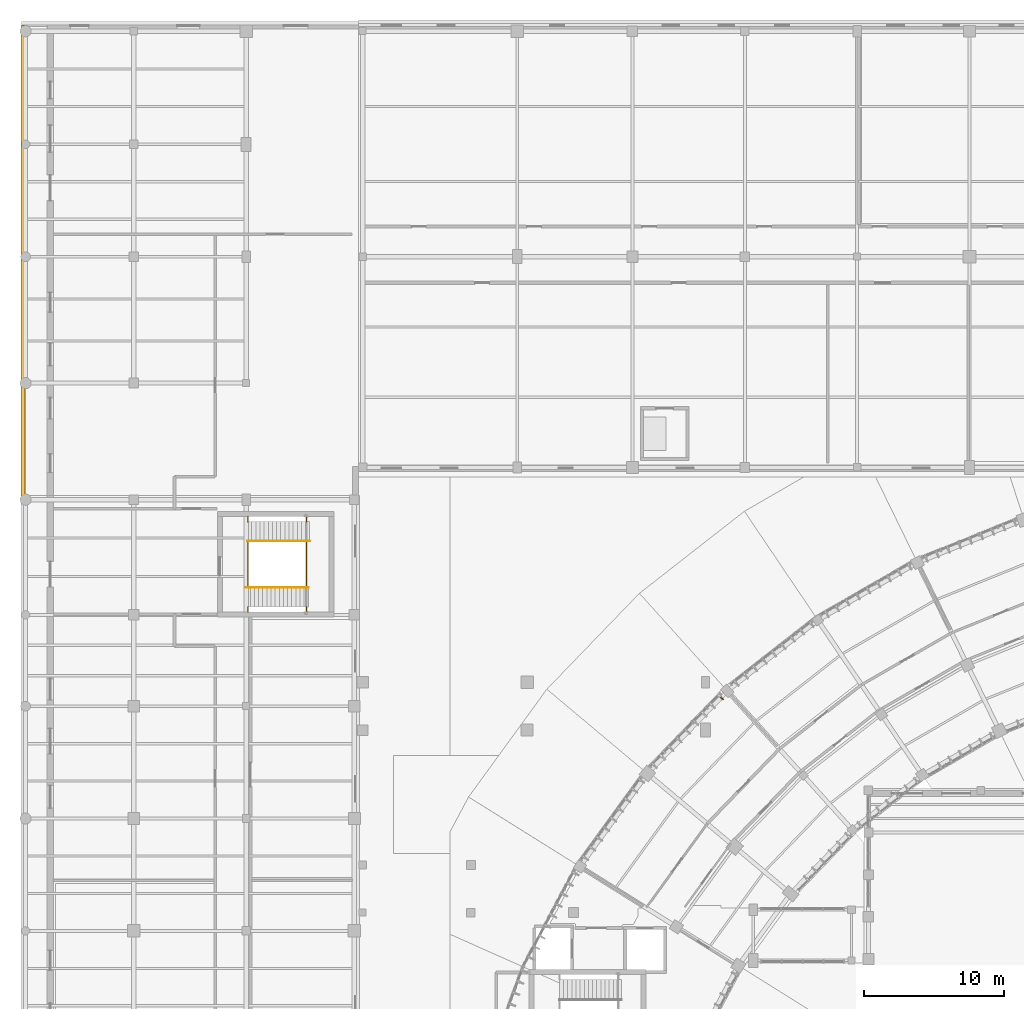
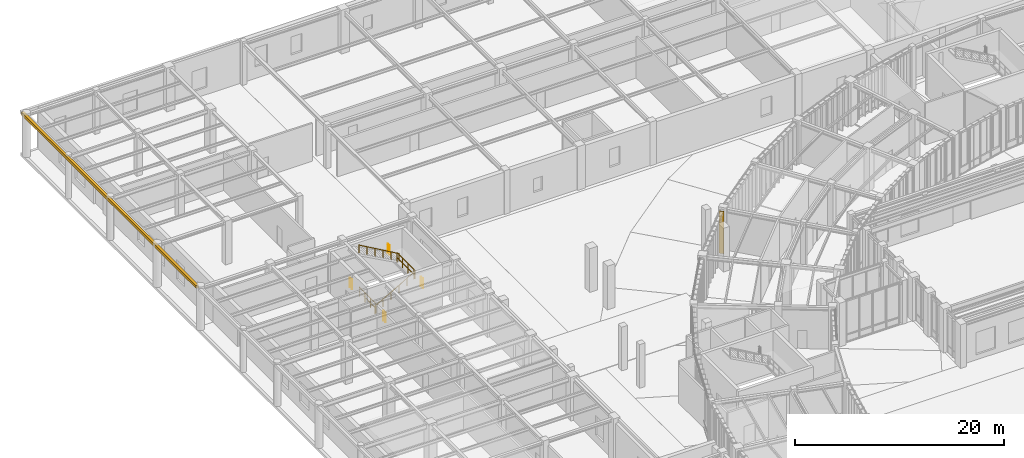
# One storey, part 62 of 68: 8 railings, 2 coverings.
"""IFC4 building model written with IfcOpenShell, lengths in metres."""

from ifc_helpers import new_model, si_unit, direction, frame, origin, origin_2d, place, context, subcontext, project, spatial, rectangle, circle, extrude, material, layer, layer_set, type_object, element, save


model = new_model("IFC4")

# Units and contexts
model_context = context("Model", 3, precision=1e-05, world=origin(), true_north=direction((0.0, 1.0)))
body_context = subcontext(model_context, "Body", "Model", "MODEL_VIEW")
ifc_project = project(units=[si_unit("LENGTHUNIT", "METRE"), si_unit("AREAUNIT", "SQUARE_METRE"), si_unit("VOLUMEUNIT", "CUBIC_METRE"), si_unit("PLANEANGLEUNIT", "RADIAN"), si_unit("MASSUNIT", "GRAM", prefix="KILO"), si_unit("THERMODYNAMICTEMPERATUREUNIT", "KELVIN"), si_unit("POWERUNIT", "WATT")], contexts=[model_context])

# Site, building, storey
site_placement = place(None, origin())
site = spatial("IfcSite", under=ifc_project, at=site_placement, CompositionType="ELEMENT")
building_placement = place(site_placement, origin())
building = spatial("IfcBuilding", under=site, at=building_placement, Name="Solvatero Civic Police Headquarters", CompositionType="ELEMENT")
storey_placement = place(building_placement, origin())
storey = spatial("IfcBuildingStorey", under=building, at=storey_placement, Name="L00", CompositionType="ELEMENT", Elevation=0.0)

# Coverings
ifc_material_1 = material(Name="Anodized Bronze Aluminium", Category="aluminium")
ifc_layer_1 = layer(ifc_material_1, 0.080078125)
ifc_layer_set_1 = layer_set([ifc_layer_1], Name="Anodized Bronze Aluminium")
covering_type_1 = type_object("IfcCoveringType", Name="COV-FIN-480", PredefinedType="CLADDING", material=ifc_layer_set_1)
covering_1_placement = place(storey_placement, frame((54.296875, 69.138671875, -0.02001953125), z_axis=(0.0, 0.0, 1.0), x_axis=(-0.694658370459, -0.719339800339, 0.0)))
element("IfcCovering", 1, at=covering_1_placement, inside=storey, type_object=covering_type_1, Name="Vertical Brise-Soleil Fin 0077", PredefinedType="CLADDING", context=body_context, shape_type="SweptSolid", body=[
    extrude(rectangle(XDim=0.080078125, YDim=0.47998046875, at=origin_2d()), origin(), (0.0, 0.0, 1.0), 4.919921875),
])
ifc_material_2 = material(Name="Cream Limestone Ashlar", Category="masonry")
ifc_layer_2 = layer(ifc_material_2, 0.10009765625)
ifc_layer_set_2 = layer_set([ifc_layer_2], Name="Cream Limestone Ashlar")
covering_type_2 = type_object("IfcCoveringType", Name="COV-TRIM-STONE", PredefinedType="CLADDING", material=ifc_layer_set_2)
covering_2_placement = place(storey_placement, frame((4.60009765625, 100.199951171875, 4.60986328125), z_axis=(0.0, 0.0, 1.0), x_axis=(1.0, 0.0, 0.0)))
element("IfcCovering", 2, at=covering_2_placement, inside=storey, type_object=covering_type_2, Name="Classical Limestone Trim TRIM-V7NW-L00-W", PredefinedType="CLADDING", context=body_context, shape_type="SweptSolid", body=[
    extrude(rectangle(XDim=0.280029296875, YDim=33.5, at=origin_2d()), origin(), (0.0, 0.0, 1.0), 0.340087890625),
])

# Railings
ifc_material_3 = material(Name="Painted Galvanized Steel", Category="steel")
railing_type_1 = type_object("IfcRailingType", Name="RL-GRD-110", PredefinedType="GUARDRAIL", material=ifc_material_3)
railing_1_placement = place(storey_placement, frame((20.6298828125, 76.97998046875, 0.0)))
element("IfcRailing", 3, at=railing_1_placement, inside=storey, type_object=railing_type_1, Name="ST-C4 L00 Floor Well Guardrail", PredefinedType="GUARDRAIL", context=body_context, shape_type="SweptSolid", body=[
    extrude(circle(Radius=0.02392578125, at=origin_2d()), frame((0.0, 0.0, 1.09619140625), z_axis=(0.0, 1.0, 0.0), x_axis=(-1.0, 0.0, 0.0)), (0.0, 0.0, 1.0), 3.239990234375),
    extrude(circle(Radius=0.02392578125, at=origin_2d()), frame((0.0, 0.0, 0.5361328125), z_axis=(0.0, 1.0, 0.0), x_axis=(-1.0, 0.0, 0.0)), (0.0, 0.0, 1.0), 3.239990234375),
    extrude(circle(Radius=0.02099609375, at=origin_2d()), origin(), (0.0, 0.0, 1.0), 1.072021484375),
    extrude(circle(Radius=0.02099609375, at=origin_2d()), frame((0.0, 1.080078125, 0.0)), (0.0, 0.0, 1.0), 1.072021484375),
    extrude(circle(Radius=0.02099609375, at=origin_2d()), frame((0.0, 2.159912109375, 0.0)), (0.0, 0.0, 1.0), 1.072021484375),
    extrude(circle(Radius=0.02099609375, at=origin_2d()), frame((0.0, 3.239990234375, 0.0)), (0.0, 0.0, 1.0), 1.072021484375),
])
for number, where, name in (
    (4, (20.6298828125, 75.2099609375, 0.0), "ST-C4 L00 Floor Well South Slot Guardrail"),
    (5, (20.6298828125, 81.6298828125, 0.0), "ST-C4 L00 Floor Well North Slot Guardrail"),
):
    element("IfcRailing", number, at=place(storey_placement, frame(where)), inside=storey, type_object=railing_type_1, Name=name, PredefinedType="GUARDRAIL", context=body_context, shape_type="SweptSolid", body=[
        extrude(circle(Radius=0.02392578125, at=origin_2d()), frame((0.0, 0.0, 1.09619140625), z_axis=(0.0, 1.0, 0.0), x_axis=(-1.0, 0.0, 0.0)), (0.0, 0.0, 1.0), 0.360107421875),
        extrude(circle(Radius=0.02392578125, at=origin_2d()), frame((0.0, 0.0, 0.5361328125), z_axis=(0.0, 1.0, 0.0), x_axis=(-1.0, 0.0, 0.0)), (0.0, 0.0, 1.0), 0.360107421875),
        extrude(circle(Radius=0.02099609375, at=origin_2d()), origin(), (0.0, 0.0, 1.0), 1.072021484375),
        extrude(circle(Radius=0.02099609375, at=origin_2d()), frame((0.0, 0.360107421875, 0.0)), (0.0, 0.0, 1.0), 1.072021484375),
    ])
railing_2_placement = place(storey_placement, frame((24.794921875, 76.97998046875, 2.550048828125)))
element("IfcRailing", 6, at=railing_2_placement, inside=storey, type_object=railing_type_1, Name="ST-C4 L00 Half-Landing Well Guardrail", PredefinedType="GUARDRAIL", context=body_context, shape_type="SweptSolid", body=[
    extrude(circle(Radius=0.02392578125, at=origin_2d()), frame((0.0, 0.0, 1.09619140625), z_axis=(0.0, 1.0, 0.0), x_axis=(-1.0, 0.0, 0.0)), (0.0, 0.0, 1.0), 3.239990234375),
    extrude(circle(Radius=0.02392578125, at=origin_2d()), frame((0.0, 0.0, 0.5361328125), z_axis=(0.0, 1.0, 0.0), x_axis=(-1.0, 0.0, 0.0)), (0.0, 0.0, 1.0), 3.239990234375),
    extrude(circle(Radius=0.02099609375, at=origin_2d()), origin(), (0.0, 0.0, 1.0), 1.072021484375),
    extrude(circle(Radius=0.02099609375, at=origin_2d()), frame((0.0, 1.080078125, 0.0)), (0.0, 0.0, 1.0), 1.072021484375),
    extrude(circle(Radius=0.02099609375, at=origin_2d()), frame((0.0, 2.159912109375, 0.0)), (0.0, 0.0, 1.0), 1.072021484375),
    extrude(circle(Radius=0.02099609375, at=origin_2d()), frame((0.0, 3.239990234375, 0.0)), (0.0, 0.0, 1.0), 1.072021484375),
])
for number, where, name in (
    (7, (24.794921875, 75.2099609375, 2.550048828125), "ST-C4 L00 Half-Landing South Slot Guardrail"),
    (8, (24.794921875, 81.6298828125, 2.550048828125), "ST-C4 L00 Half-Landing North Slot Guardrail"),
):
    element("IfcRailing", number, at=place(storey_placement, frame(where)), inside=storey, type_object=railing_type_1, Name=name, PredefinedType="GUARDRAIL", context=body_context, shape_type="SweptSolid", body=[
        extrude(circle(Radius=0.02392578125, at=origin_2d()), frame((0.0, 0.0, 1.09619140625), z_axis=(0.0, 1.0, 0.0), x_axis=(-1.0, 0.0, 0.0)), (0.0, 0.0, 1.0), 0.360107421875),
        extrude(circle(Radius=0.02392578125, at=origin_2d()), frame((0.0, 0.0, 0.5361328125), z_axis=(0.0, 1.0, 0.0), x_axis=(-1.0, 0.0, 0.0)), (0.0, 0.0, 1.0), 0.360107421875),
        extrude(circle(Radius=0.02099609375, at=origin_2d()), origin(), (0.0, 0.0, 1.0), 1.072021484375),
        extrude(circle(Radius=0.02099609375, at=origin_2d()), frame((0.0, 0.360107421875, 0.0)), (0.0, 0.0, 1.0), 1.072021484375),
    ])
ifc_material_4 = material(Name="Brushed Stainless Steel", Category="steel")
railing_type_2 = type_object("IfcRailingType", Name="RL-HND-092", PredefinedType="HANDRAIL", material=ifc_material_4)
railing_3_placement = place(storey_placement, frame((20.5, 76.949951171875, 0.0)))
element("IfcRailing", 9, at=railing_3_placement, inside=storey, type_object=railing_type_2, Name="ST-C4 L00 Flight 1 Handrail", PredefinedType="HANDRAIL", context=body_context, shape_type="SweptSolid", body=[
    extrude(circle(Radius=0.02392578125, at=origin_2d()), frame((0.0, 0.0, 0.89599609375), z_axis=(0.866428212428, 0.0, 0.499301665038), x_axis=(0.0, 1.0, 0.0)), (0.0, 0.0, 1.0), 5.107177734375),
    extrude(circle(Radius=0.02099609375, at=origin_2d()), origin(), (0.0, 0.0, 1.0), 0.871826171875),
    extrude(circle(Radius=0.02099609375, at=origin_2d()), frame((0.885009765625, 0.0, 0.510009765625)), (0.0, 0.0, 1.0), 0.871826171875),
    extrude(circle(Radius=0.02099609375, at=origin_2d()), frame((1.77001953125, 0.0, 1.02001953125)), (0.0, 0.0, 1.0), 0.871826171875),
    extrude(circle(Radius=0.02099609375, at=origin_2d()), frame((2.655029296875, 0.0, 1.530029296875)), (0.0, 0.0, 1.0), 0.871826171875),
    extrude(circle(Radius=0.02099609375, at=origin_2d()), frame((3.5400390625, 0.0, 2.0400390625)), (0.0, 0.0, 1.0), 0.871826171875),
    extrude(circle(Radius=0.02099609375, at=origin_2d()), frame((4.425048828125, 0.0, 2.550048828125)), (0.0, 0.0, 1.0), 0.871826171875),
])
railing_4_placement = place(storey_placement, frame((25.02490234375, 80.25, 2.550048828125)))
element("IfcRailing", 10, at=railing_4_placement, inside=storey, type_object=railing_type_2, Name="ST-C4 L00 Flight 2 Handrail", PredefinedType="HANDRAIL", context=body_context, shape_type="SweptSolid", body=[
    extrude(circle(Radius=0.02392578125, at=origin_2d()), frame((0.0, 0.0, 0.89599609375), z_axis=(-0.866416294312, 0.0, 0.499322345735), x_axis=(0.0, -1.0, 0.0)), (0.0, 0.0, 1.0), 5.10693359375),
    extrude(circle(Radius=0.02099609375, at=origin_2d()), origin(), (0.0, 0.0, 1.0), 0.871826171875),
    extrude(circle(Radius=0.02099609375, at=origin_2d()), frame((-0.885009765625, 0.0, 0.510009765625)), (0.0, 0.0, 1.0), 0.871826171875),
    extrude(circle(Radius=0.02099609375, at=origin_2d()), frame((-1.77001953125, 0.0, 1.02001953125)), (0.0, 0.0, 1.0), 0.871826171875),
    extrude(circle(Radius=0.02099609375, at=origin_2d()), frame((-2.65478515625, 0.0, 1.530029296875)), (0.0, 0.0, 1.0), 0.871826171875),
    extrude(circle(Radius=0.02099609375, at=origin_2d()), frame((-3.539794921875, 0.0, 2.0400390625)), (0.0, 0.0, 1.0), 0.871826171875),
    extrude(circle(Radius=0.02099609375, at=origin_2d()), frame((-4.4248046875, 0.0, 2.550048828125)), (0.0, 0.0, 1.0), 0.871826171875),
])

save(model, "model.ifc")
